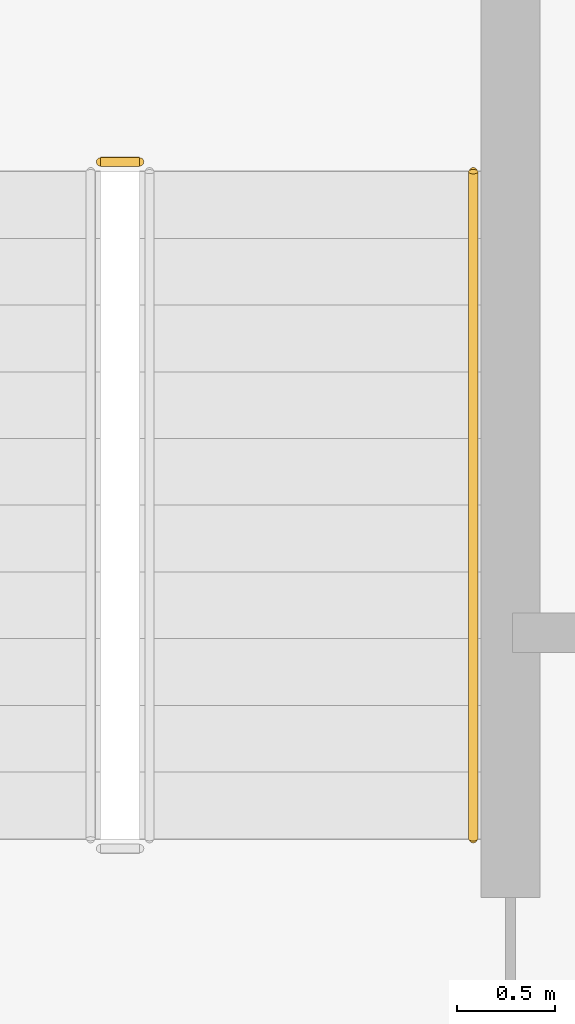
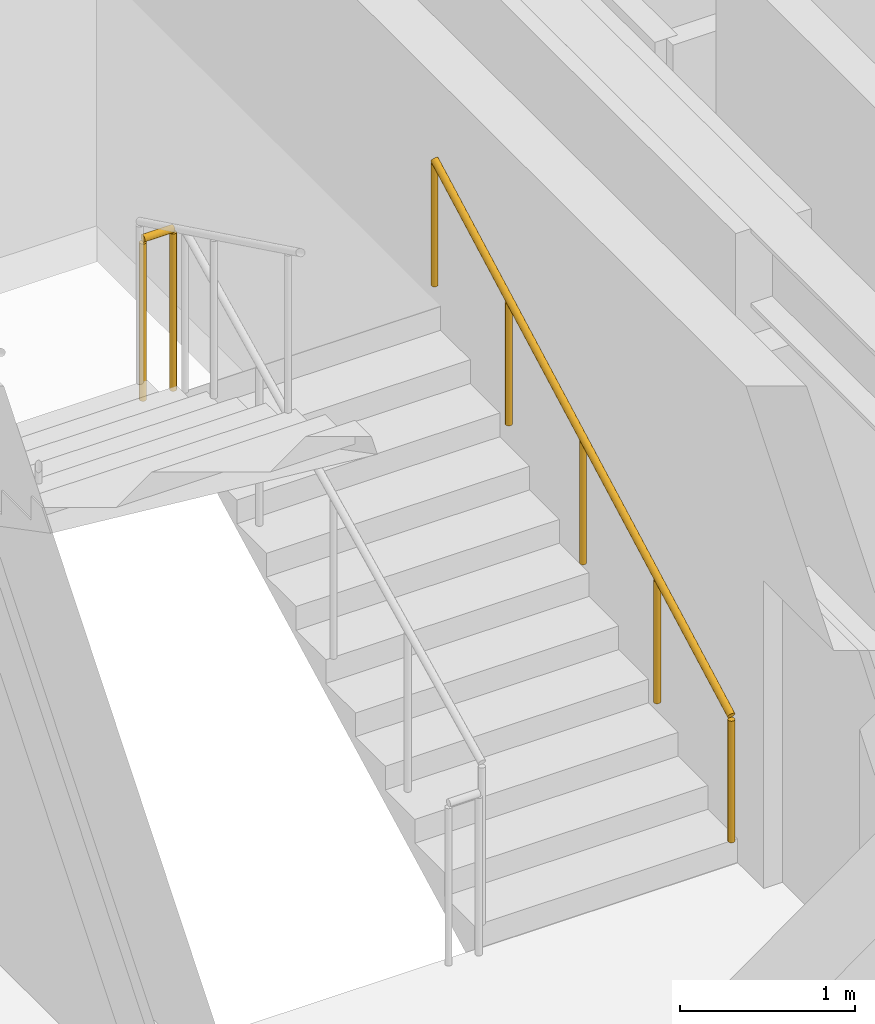
# One storey, part 36 of 37: 2 railings.
"""IFC4 building model written with IfcOpenShell, lengths in metres."""

from ifc_helpers import new_model, si_unit, direction, frame, origin, origin_2d, place, context, subcontext, project, spatial, circle, extrude, material, type_object, element, save


model = new_model("IFC4")

# Units and contexts
model_context = context("Model", 3, precision=1e-05, world=origin(), true_north=direction((0.0, 1.0)))
body_context = subcontext(model_context, "Body", "Model", "MODEL_VIEW")
ifc_project = project(units=[si_unit("LENGTHUNIT", "METRE"), si_unit("AREAUNIT", "SQUARE_METRE"), si_unit("VOLUMEUNIT", "CUBIC_METRE"), si_unit("PLANEANGLEUNIT", "RADIAN"), si_unit("MASSUNIT", "GRAM", prefix="KILO")], contexts=[model_context])

# Site, building, storey
site_placement = place(None, origin())
site = spatial("IfcSite", under=ifc_project, at=site_placement, CompositionType="ELEMENT")
building_placement = place(site_placement, origin())
building = spatial("IfcBuilding", under=site, at=building_placement, Name="Nahalor Promenade Grand Hotel", CompositionType="ELEMENT")
storey_placement = place(building_placement, frame((0.0, 0.0, 167.25)))
storey = spatial("IfcBuildingStorey", under=building, at=storey_placement, Name="L42", CompositionType="ELEMENT", Elevation=167.25)

# Railings
ifc_material = material(Name="Steel S355JR", Category="steel")
railing_type_1 = type_object("IfcRailingType", Name="Steel Stair Guardrail 1150 mm", PredefinedType="GUARDRAIL", material=ifc_material)
railing_1_placement = place(storey_placement, frame((5.699951171875, 11.550048828125, 1.824951171875)))
element("IfcRailing", 1, at=railing_1_placement, inside=storey, type_object=railing_type_1, Name="L42 ST1 stair guard 2", PredefinedType="GUARDRAIL", context=body_context, shape_type="SweptSolid", body=[
    extrude(circle(Radius=0.024048, at=origin_2d()), frame((0.0, 0.0, 1.1259765625), z_axis=(-1.0, 0.0, 0.0), x_axis=(0.0, -1.0, 0.0)), (0.0, 0.0, 1.0), 0.199951171875),
    extrude(circle(Radius=0.020996, at=origin_2d()), origin(), (0.0, 0.0, 1.0), 1.099853515625),
    extrude(circle(Radius=0.020996, at=origin_2d()), frame((-0.199951171875, 0.0, 0.0)), (0.0, 0.0, 1.0), 1.099853515625),
])
railing_type_2 = type_object("IfcRailingType", Name="Steel Stair Handrail 900 mm", PredefinedType="HANDRAIL", material=ifc_material)
railing_2_placement = place(storey_placement, frame((7.39990234375, 8.10009765625, 0.166015625)))
element("IfcRailing", 2, at=railing_2_placement, inside=storey, type_object=railing_type_2, Name="L42 ST1 stair handrail 1", PredefinedType="HANDRAIL", context=body_context, shape_type="SweptSolid", body=[
    extrude(circle(Radius=0.024048, at=origin_2d()), frame((0.0, 0.0, 0.8759765625), z_axis=(0.0, 0.881094038095, 0.47294111265), x_axis=(-1.0, 0.0, 0.0)), (0.0, 0.0, 1.0), 3.858642578125),
    extrude(circle(Radius=0.020996, at=origin_2d()), origin(), (0.0, 0.0, 1.0), 0.849853515625),
    extrude(circle(Radius=0.020996, at=origin_2d()), frame((0.0, 0.85009765625, 0.456298828125)), (0.0, 0.0, 1.0), 0.849853515625),
    extrude(circle(Radius=0.020996, at=origin_2d()), frame((0.0, 1.699951171875, 0.91259765625)), (0.0, 0.0, 1.0), 0.849853515625),
    extrude(circle(Radius=0.020996, at=origin_2d()), frame((0.0, 2.5498046875, 1.36865234375)), (0.0, 0.0, 1.0), 0.849853515625),
    extrude(circle(Radius=0.020996, at=origin_2d()), frame((0.0, 3.39990234375, 1.824951171875)), (0.0, 0.0, 1.0), 0.849853515625),
])

save(model, "model.ifc")
